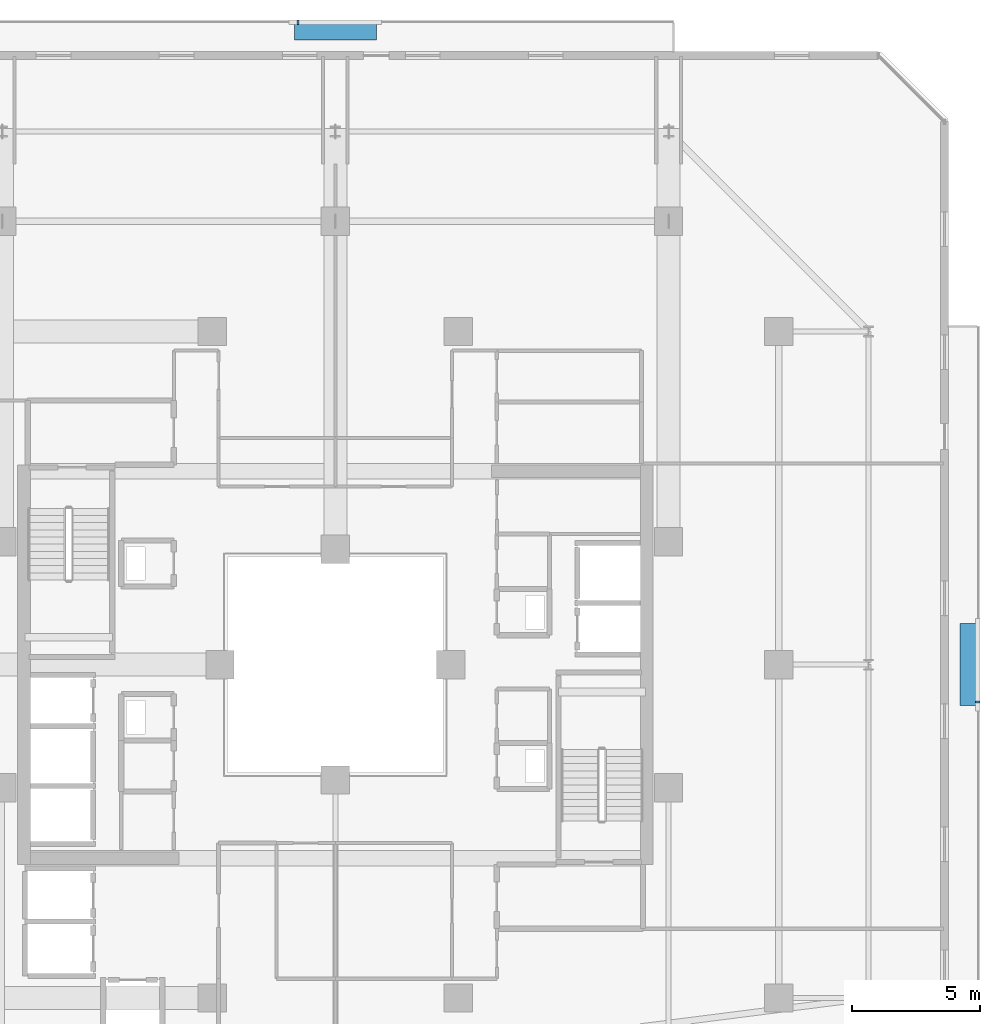
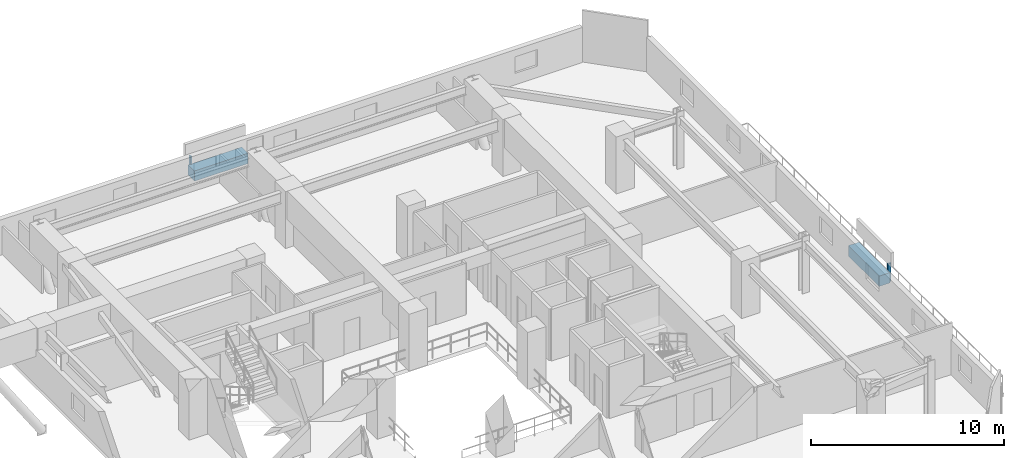
# One storey, part 32 of 36: 4 discrete accessories.
"""IFC4 building model written with IfcOpenShell, lengths in metres."""

from ifc_helpers import new_model, si_unit, direction, frame, origin, origin_2d, place, context, subcontext, project, spatial, rectangle, extrude, material, type_object, element, save


model = new_model("IFC4")

# Units and contexts
model_context = context("Model", 3, precision=1e-05, world=origin(), true_north=direction((0.0, 1.0)))
body_context = subcontext(model_context, "Body", "Model", "MODEL_VIEW")
ifc_project = project(units=[si_unit("LENGTHUNIT", "METRE"), si_unit("AREAUNIT", "SQUARE_METRE"), si_unit("VOLUMEUNIT", "CUBIC_METRE"), si_unit("PLANEANGLEUNIT", "RADIAN"), si_unit("MASSUNIT", "GRAM", prefix="KILO")], contexts=[model_context])

# Site, building, storey
site_placement = place(None, origin())
site = spatial("IfcSite", under=ifc_project, at=site_placement, CompositionType="ELEMENT")
building_placement = place(site_placement, origin())
building = spatial("IfcBuilding", under=site, at=building_placement, Name="Thornwick Lancets Civic Towers", CompositionType="ELEMENT")
storey_placement = place(building_placement, frame((0.0, 0.0, 170.699951171875)))
storey = spatial("IfcBuildingStorey", under=building, at=storey_placement, Name="L45", CompositionType="ELEMENT", Elevation=170.699951171875)

# Discrete accessories
ifc_material_1 = material(Name="Planted terracotta greenery planter", Category="masonry")
discrete_accessory_type_1 = type_object("IfcDiscreteAccessoryType", Name="ACC_PLANTER_BOX", PredefinedType="USERDEFINED", material=ifc_material_1)
discrete_accessory_1_placement = place(storey_placement, frame((113.199951171875, 27.0, 0.0), z_axis=(0.0, 0.0, 1.0), x_axis=(1.0, 0.0, 0.0)))
element("IfcDiscreteAccessory", 1, at=discrete_accessory_1_placement, inside=storey, type_object=discrete_accessory_type_1, Name="L45 Tower B Balcony Greenery Planter E", ObjectType="PLANTER", PredefinedType="USERDEFINED", context=body_context, shape_type="SweptSolid", body=[
    extrude(rectangle(XDim=0.64990234375, YDim=3.199951171875, at=origin_2d()), origin(), (0.0, 0.0, 1.0), 0.64990234375),
])
discrete_accessory_2_placement = place(storey_placement, frame((88.5, 51.699951171875, 0.0), z_axis=(0.0, 0.0, 1.0), x_axis=(1.0, 0.0, 0.0)))
element("IfcDiscreteAccessory", 2, at=discrete_accessory_2_placement, inside=storey, type_object=discrete_accessory_type_1, Name="L45 Tower B Balcony Greenery Planter N", ObjectType="PLANTER", PredefinedType="USERDEFINED", context=body_context, shape_type="SweptSolid", body=[
    extrude(rectangle(XDim=3.199951171875, YDim=0.64990234375, at=origin_2d()), origin(), (0.0, 0.0, 1.0), 0.64990234375),
])
ifc_material_2 = material(Name="Stainless steel S355", Category="steel")
discrete_accessory_type_2 = type_object("IfcDiscreteAccessoryType", Name="ACC_SCREEN_BRACKET", PredefinedType="BRACKET", material=ifc_material_2)
for number, where, z_axis, x_axis, name in (
    (3, (113.56005859375, 25.550048828125, 0.0), (0.0, 0.0, 1.0), (0.0, 1.0, 0.0), "L45 Tower B Balcony Screen Stanchion Bracket E-1"),
    (4, (87.050048828125, 52.06005859375, 0.0), (0.0, 0.0, 1.0), (1.0, 0.0, 0.0), "L45 Tower B Balcony Screen Stanchion Bracket N-1"),
):
    element("IfcDiscreteAccessory", number, at=place(storey_placement, frame(where, z_axis=z_axis, x_axis=x_axis)), inside=storey, type_object=discrete_accessory_type_2, Name=name, PredefinedType="BRACKET", context=body_context, shape_type="SweptSolid", body=[
        extrude(rectangle(XDim=0.080078125, YDim=0.179931640625, at=origin_2d()), origin(), (0.0, 0.0, 1.0), 1.14990234375),
    ])

save(model, "model.ifc")
